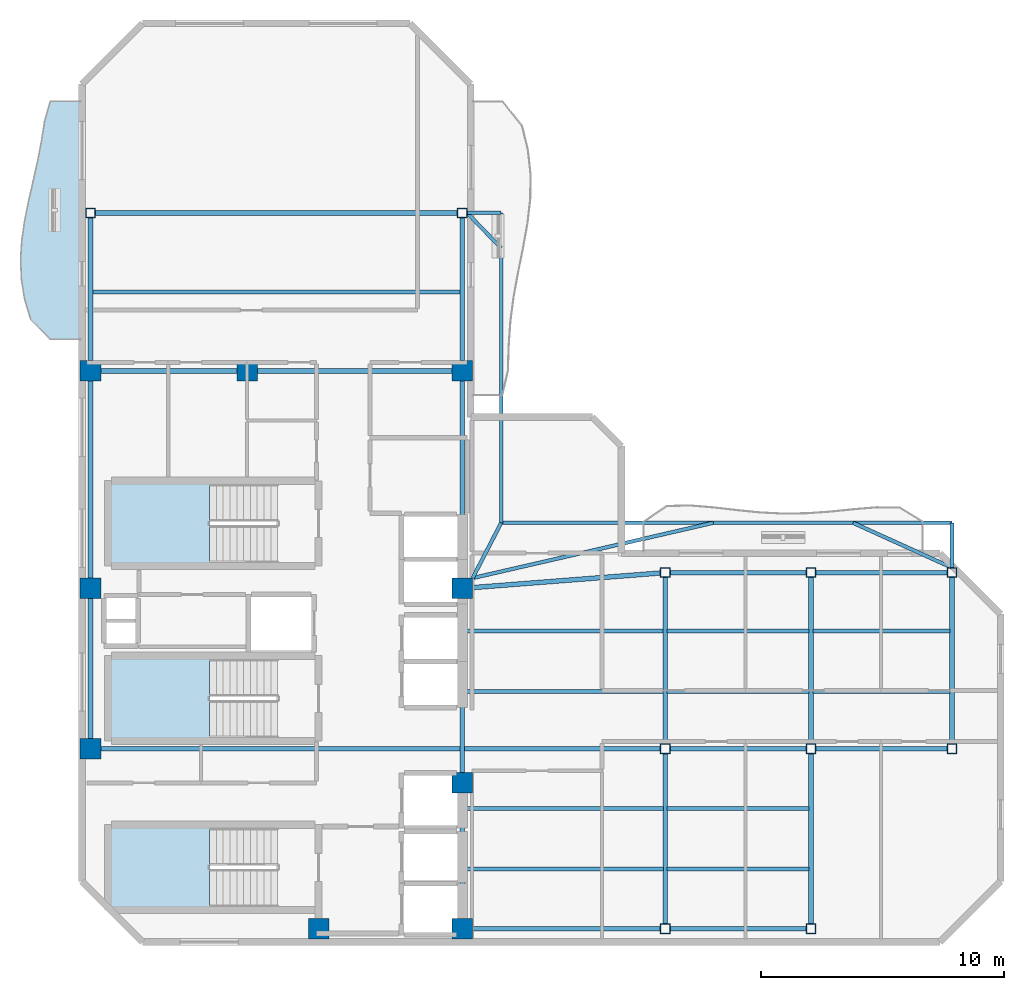
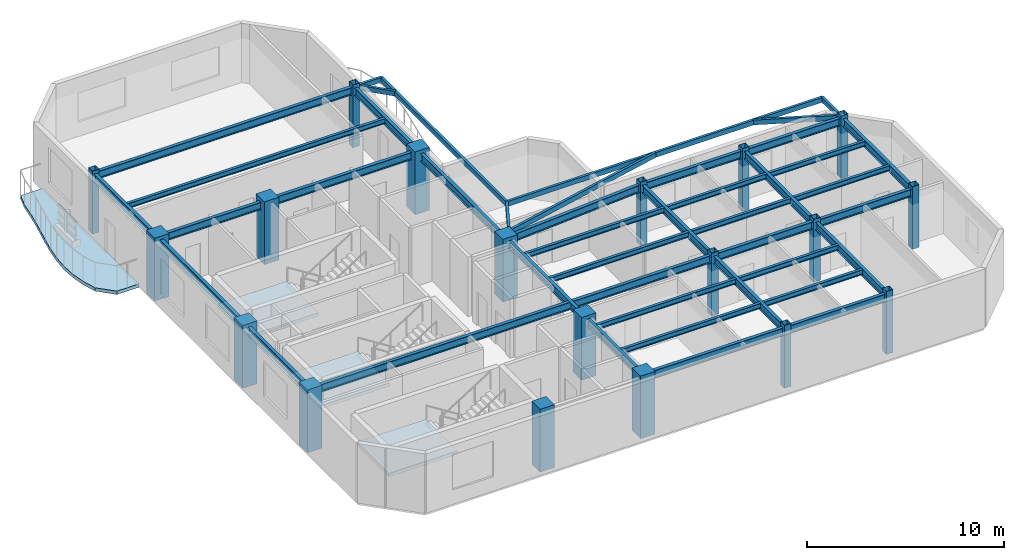
# One storey, part 1 of 7: 42 beams, 19 columns, 4 slabs, 3 elements without a shape of their own.
"""IFC4 building model written with IfcOpenShell, lengths in metres."""

from ifc_helpers import new_model, si_unit, direction, frame, origin, origin_2d, place, context, subcontext, project, spatial, polyline, rectangle, hollow_rectangle, i_section, outline, extrude, material, layer, layer_set, material_profile, profile_set, type_object, element, aggregate, save


model = new_model("IFC4")

# Units and contexts
model_context = context("Model", 3, precision=1e-05, world=origin(), true_north=direction((0.0, 1.0)))
body_context = subcontext(model_context, "Body", "Model", "MODEL_VIEW")
ifc_project = project(units=[si_unit("LENGTHUNIT", "METRE"), si_unit("AREAUNIT", "SQUARE_METRE"), si_unit("VOLUMEUNIT", "CUBIC_METRE"), si_unit("PLANEANGLEUNIT", "RADIAN"), si_unit("MASSUNIT", "GRAM", prefix="KILO")], contexts=[model_context])

# Site, building, storey
site_placement = place(None, origin())
site = spatial("IfcSite", under=ifc_project, at=site_placement, CompositionType="ELEMENT")
building_placement = place(site_placement, origin())
building = spatial("IfcBuilding", under=site, at=building_placement, Name="Mawjaban Terraces University", CompositionType="ELEMENT")
storey_placement = place(building_placement, frame((0.0, 0.0, 287.199951171875)))
storey = spatial("IfcBuildingStorey", under=building, at=storey_placement, Name="L70", CompositionType="ELEMENT", Elevation=287.199951171875)

# Columns
ifc_material_1 = material(Name="Concrete C50/60", Category="concrete")
ifc_material_profile_1 = material_profile(ifc_material_1, rectangle(XDim=0.85009765625, YDim=0.85009765625, at=origin_2d()), Name="RC850X850")
ifc_profile_set_1 = profile_set([ifc_material_profile_1], Name="Concrete C50/60")
column_type_1 = type_object("IfcColumnType", Name="Col_RC850X850", PredefinedType="COLUMN", material=ifc_profile_set_1)
for number, where, z_axis, x_axis, name in (
    (1, (31.75, 0.550048828125, 0.0), (0.0, 0.0, 1.0), (1.0, 0.0, 0.0), "L70 Column CC2"),
    (2, (37.64990234375, 0.550048828125, 0.0), (0.0, 0.0, 1.0), (1.0, 0.0, 0.0), "L70 Column CC3"),
    (3, (22.35009765625, 7.949951171875, 0.0), (0.0, 0.0, 1.0), (1.0, 0.0, 0.0), "L70 Column CC4"),
    (4, (37.64990234375, 6.550048828125, 0.0), (0.0, 0.0, 1.0), (1.0, 0.0, 0.0), "L70 Column CC5"),
    (5, (22.35009765625, 14.550048828125, 0.0), (0.0, 0.0, 1.0), (1.0, 0.0, 0.0), "L70 Column CC6"),
    (6, (37.64990234375, 14.550048828125, 0.0), (0.0, 0.0, 1.0), (1.0, 0.0, 0.0), "L70 Column CC7"),
    (7, (22.35009765625, 23.5, 0.0), (0.0, 0.0, 1.0), (1.0, 0.0, 0.0), "L70 Column CC8"),
    (8, (28.800048828125, 23.5, 0.0), (0.0, 0.0, 1.0), (1.0, 0.0, 0.0), "L70 Column CC9"),
    (9, (37.64990234375, 23.5, 0.0), (0.0, 0.0, 1.0), (1.0, 0.0, 0.0), "L70 Column CC10"),
):
    element("IfcColumn", number, at=place(storey_placement, frame(where, z_axis=z_axis, x_axis=x_axis)), inside=storey, type_object=column_type_1, Name=name, PredefinedType="COLUMN", context=body_context, shape_type="SweptSolid", body=[
        extrude(rectangle(XDim=0.85009765625, YDim=0.85009765625, at=origin_2d()), origin(), (0.0, 0.0, 1.0), 3.900146484375),
    ])
ifc_material_2 = material(Name="Steel EN 10210-1 S355J2H", Category="steel")
ifc_material_profile_2 = material_profile(ifc_material_2, hollow_rectangle(XDim=0.39990234375, YDim=0.39990234375, WallThickness=0.02001953125, at=origin_2d()), Name="SHS400X400X20")
ifc_profile_set_2 = profile_set([ifc_material_profile_2], Name="Steel EN 10210-1 S355J2H")
column_type_2 = type_object("IfcColumnType", Name="Col_SHS400X400X20", PredefinedType="COLUMN", material=ifc_profile_set_2)
for number, where, z_axis, x_axis, name in (
    (10, (46.0, 0.550048828125, 0.0), (0.0, 0.0, 1.0), (1.0, 0.0, 0.0), "L70 Column TE-460-005"),
    (11, (46.0, 7.949951171875, 0.0), (0.0, 0.0, 1.0), (1.0, 0.0, 0.0), "L70 Column TE-460-080"),
    (12, (46.0, 15.199951171875, 0.0), (0.0, 0.0, 1.0), (1.0, 0.0, 0.0), "L70 Column TE-460-152"),
    (13, (52.0, 0.550048828125, 0.0), (0.0, 0.0, 1.0), (1.0, 0.0, 0.0), "L70 Column TE-520-005"),
    (14, (52.0, 7.949951171875, 0.0), (0.0, 0.0, 1.0), (1.0, 0.0, 0.0), "L70 Column TE-520-080"),
    (15, (52.0, 15.199951171875, 0.0), (0.0, 0.0, 1.0), (1.0, 0.0, 0.0), "L70 Column TE-520-152"),
    (16, (57.800048828125, 7.949951171875, 0.0), (0.0, 0.0, 1.0), (1.0, 0.0, 0.0), "L70 Column TE-578-080"),
    (17, (57.800048828125, 15.199951171875, 0.0), (0.0, 0.0, 1.0), (1.0, 0.0, 0.0), "L70 Column TE-578-152"),
    (18, (22.35009765625, 30.0, 0.0), (0.0, 0.0, 1.0), (1.0, 0.0, 0.0), "L70 Column TN-223-300"),
    (19, (37.64990234375, 30.0, 0.0), (0.0, 0.0, 1.0), (1.0, 0.0, 0.0), "L70 Column TN-376-300"),
):
    element("IfcColumn", number, at=place(storey_placement, frame(where, z_axis=z_axis, x_axis=x_axis)), inside=storey, type_object=column_type_2, Name=name, PredefinedType="COLUMN", context=body_context, shape_type="SweptSolid", body=[
        extrude(hollow_rectangle(XDim=0.39990234375, YDim=0.39990234375, WallThickness=0.02001953125, at=origin_2d()), origin(), (0.0, 0.0, 1.0), 3.900146484375),
    ])

# Beams
ifc_material_profile_3 = material_profile(ifc_material_2, hollow_rectangle(XDim=0.14990234375, YDim=0.300048828125, WallThickness=0.012451171875, at=origin_2d()), Name="RHS300X150X12.5")
ifc_profile_set_3 = profile_set([ifc_material_profile_3], Name="Steel EN 10210-1 S355J2H")
beam_type_1 = type_object("IfcBeamType", Name="BalconyCantileverSpandrel_RHS", PredefinedType="SPANDREL", material=ifc_profile_set_3)
beam_1_placement = place(storey_placement, frame((38.074951171875, 14.97509765625, 3.5400390625), z_axis=(0.458922210771, 0.88847645127, 0.0), x_axis=(-0.88847645127, 0.458922210771, 0.0)))
element("IfcBeam", 20, at=beam_1_placement, inside=storey, type_object=beam_type_1, Name="L70 Corner Outrigger BAL-L71-N", PredefinedType="SPANDREL", context=body_context, shape_type="SweptSolid", body=[
    extrude(hollow_rectangle(XDim=0.14990234375, YDim=0.300048828125, WallThickness=0.012451171875, at=origin_2d()), origin(), (0.0, 0.0, 1.0), 2.560546875),
])
beam_2_placement = place(storey_placement, frame((57.800048828125, 15.39990234375, 3.5400390625), z_axis=(0.0, 1.0, 0.0), x_axis=(-1.0, 0.0, 0.0)))
element("IfcBeam", 21, at=beam_2_placement, inside=storey, type_object=beam_type_1, Name="L70 Exterior Outrigger BAL-L71-N.2", PredefinedType="SPANDREL", context=body_context, shape_type="SweptSolid", body=[
    extrude(hollow_rectangle(XDim=0.14990234375, YDim=0.300048828125, WallThickness=0.012451171875, at=origin_2d()), origin(), (0.0, 0.0, 1.0), 1.85009765625),
])
beam_3_placement = place(storey_placement, frame((39.25, 17.25, 3.5400390625), z_axis=(1.0, 0.0, 0.0), x_axis=(0.0, 1.0, 0.0)))
element("IfcBeam", 22, at=beam_3_placement, inside=storey, type_object=beam_type_1, Name="L70 Exterior Edge Spandrel BAL-L71-N", PredefinedType="SPANDREL", context=body_context, shape_type="SweptSolid", body=[
    extrude(hollow_rectangle(XDim=0.14990234375, YDim=0.300048828125, WallThickness=0.012451171875, at=origin_2d()), origin(), (0.0, 0.0, 1.0), 18.550048828125),
])
beam_4_placement = place(storey_placement, frame((38.074951171875, 14.97509765625, 3.5400390625), z_axis=(0.974600999447, 0.223948413426, 0.0), x_axis=(-0.223948413426, 0.974600999447, 0.0)))
element("IfcBeam", 23, at=beam_4_placement, inside=storey, type_object=beam_type_1, Name="L70 Exterior Diagonal Strut BAL-L71-N.1", PredefinedType="SPANDREL", context=body_context, shape_type="SweptSolid", body=[
    extrude(hollow_rectangle(XDim=0.14990234375, YDim=0.300048828125, WallThickness=0.012451171875, at=origin_2d()), origin(), (0.0, 0.0, 1.0), 10.158203125),
])
beam_5_placement = place(storey_placement, frame((57.800048828125, 15.39990234375, 3.5400390625), z_axis=(-0.910547611438, 0.413404217811, 0.0), x_axis=(-0.413404217811, -0.910547611438, 0.0)))
element("IfcBeam", 24, at=beam_5_placement, inside=storey, type_object=beam_type_1, Name="L70 Exterior Diagonal Strut BAL-L71-N.2", PredefinedType="SPANDREL", context=body_context, shape_type="SweptSolid", body=[
    extrude(hollow_rectangle(XDim=0.14990234375, YDim=0.300048828125, WallThickness=0.012451171875, at=origin_2d()), origin(), (0.0, 0.0, 1.0), 4.475341796875),
])
beam_6_placement = place(storey_placement, frame((37.85009765625, 30.0, 3.5400390625), z_axis=(1.0, 0.0, 0.0), x_axis=(0.0, 1.0, 0.0)))
element("IfcBeam", 25, at=beam_6_placement, inside=storey, type_object=beam_type_1, Name="L70 Exterior Outrigger BAL-L71-E.2", PredefinedType="SPANDREL", context=body_context, shape_type="SweptSolid", body=[
    extrude(hollow_rectangle(XDim=0.14990234375, YDim=0.300048828125, WallThickness=0.012451171875, at=origin_2d()), origin(), (0.0, 0.0, 1.0), 1.39990234375),
])
beam_7_placement = place(storey_placement, frame((39.25, 17.25, 3.5400390625), z_axis=(0.0, 1.0, 0.0), x_axis=(-1.0, 0.0, 0.0)))
element("IfcBeam", 26, at=beam_7_placement, inside=storey, type_object=beam_type_1, Name="L70 Exterior Edge Spandrel BAL-L71-E", PredefinedType="SPANDREL", context=body_context, shape_type="SweptSolid", body=[
    extrude(hollow_rectangle(XDim=0.14990234375, YDim=0.300048828125, WallThickness=0.012451171875, at=origin_2d()), origin(), (0.0, 0.0, 1.0), 12.75),
])
beam_8_placement = place(storey_placement, frame((37.85009765625, 30.0, 3.5400390625), z_axis=(0.694581542946, -0.719413983878, 0.0), x_axis=(0.719413983878, 0.694581542946, 0.0)))
element("IfcBeam", 27, at=beam_8_placement, inside=storey, type_object=beam_type_1, Name="L70 Exterior Diagonal Strut BAL-L71-E.1", PredefinedType="SPANDREL", context=body_context, shape_type="SweptSolid", body=[
    extrude(hollow_rectangle(XDim=0.14990234375, YDim=0.300048828125, WallThickness=0.012451171875, at=origin_2d()), origin(), (0.0, 0.0, 1.0), 2.015380859375),
])
ifc_material_3 = material(Name="Steel ASTM A572 Grade 50", Category="steel")
ifc_material_profile_4 = material_profile(ifc_material_3, i_section(OverallWidth=0.194091796875, OverallDepth=0.468994140625, WebThickness=0.011474609375, FlangeThickness=0.0205078125, at=origin_2d()), Name="W460X106")
ifc_profile_set_4 = profile_set([ifc_material_profile_4], Name="Steel ASTM A572 Grade 50")
beam_type_2 = type_object("IfcBeamType", Name="Beam_B_W460X106", PredefinedType="BEAM", material=ifc_profile_set_4)
beam_9_placement = place(storey_placement, frame((38.074951171875, 0.550048828125, 3.455078125), z_axis=(1.0, 0.0, 0.0), x_axis=(0.0, 1.0, 0.0)))
element("IfcBeam", 28, at=beam_9_placement, inside=storey, type_object=beam_type_2, Name="L70 Beam BM-L70-EW-01", PredefinedType="BEAM", context=body_context, shape_type="SweptSolid", body=[
    extrude(i_section(OverallWidth=0.194091796875, OverallDepth=0.468994140625, WebThickness=0.011474609375, FlangeThickness=0.0205078125, at=origin_2d()), origin(), (0.0, 0.0, 1.0), 7.72509765625),
])
beam_10_placement = place(storey_placement, frame((46.199951171875, 0.550048828125, 3.455078125), z_axis=(1.0, 0.0, 0.0), x_axis=(0.0, 1.0, 0.0)))
element("IfcBeam", 29, at=beam_10_placement, inside=storey, type_object=beam_type_2, Name="L70 Beam BM-L70-EW-02", PredefinedType="BEAM", context=body_context, shape_type="SweptSolid", body=[
    extrude(i_section(OverallWidth=0.194091796875, OverallDepth=0.468994140625, WebThickness=0.011474609375, FlangeThickness=0.0205078125, at=origin_2d()), origin(), (0.0, 0.0, 1.0), 5.60009765625),
])
beam_11_placement = place(storey_placement, frame((22.77490234375, 7.949951171875, 3.455078125), z_axis=(1.0, 0.0, 0.0), x_axis=(0.0, 1.0, 0.0)))
element("IfcBeam", 30, at=beam_11_placement, inside=storey, type_object=beam_type_2, Name="L70 Beam BM-L70-EW-03", PredefinedType="BEAM", context=body_context, shape_type="SweptSolid", body=[
    extrude(i_section(OverallWidth=0.194091796875, OverallDepth=0.468994140625, WebThickness=0.011474609375, FlangeThickness=0.0205078125, at=origin_2d()), origin(), (0.0, 0.0, 1.0), 23.025146484375),
])
beam_12_placement = place(storey_placement, frame((46.199951171875, 7.949951171875, 3.455078125), z_axis=(1.0, 0.0, 0.0), x_axis=(0.0, 1.0, 0.0)))
element("IfcBeam", 31, at=beam_12_placement, inside=storey, type_object=beam_type_2, Name="L70 Beam BM-L70-EW-04", PredefinedType="BEAM", context=body_context, shape_type="SweptSolid", body=[
    extrude(i_section(OverallWidth=0.194091796875, OverallDepth=0.468994140625, WebThickness=0.011474609375, FlangeThickness=0.0205078125, at=origin_2d()), origin(), (0.0, 0.0, 1.0), 5.60009765625),
])
beam_13_placement = place(storey_placement, frame((52.199951171875, 7.949951171875, 3.455078125), z_axis=(1.0, 0.0, 0.0), x_axis=(0.0, 1.0, 0.0)))
element("IfcBeam", 32, at=beam_13_placement, inside=storey, type_object=beam_type_2, Name="L70 Beam BM-L70-EW-05", PredefinedType="BEAM", context=body_context, shape_type="SweptSolid", body=[
    extrude(i_section(OverallWidth=0.194091796875, OverallDepth=0.468994140625, WebThickness=0.011474609375, FlangeThickness=0.0205078125, at=origin_2d()), origin(), (0.0, 0.0, 1.0), 5.400146484375),
])
beam_14_placement = place(storey_placement, frame((46.199951171875, 15.199951171875, 3.455078125), z_axis=(1.0, 0.0, 0.0), x_axis=(0.0, 1.0, 0.0)))
element("IfcBeam", 33, at=beam_14_placement, inside=storey, type_object=beam_type_2, Name="L70 Beam BM-L70-EW-06", PredefinedType="BEAM", context=body_context, shape_type="SweptSolid", body=[
    extrude(i_section(OverallWidth=0.194091796875, OverallDepth=0.468994140625, WebThickness=0.011474609375, FlangeThickness=0.0205078125, at=origin_2d()), origin(), (0.0, 0.0, 1.0), 5.60009765625),
])
beam_15_placement = place(storey_placement, frame((52.199951171875, 15.199951171875, 3.455078125), z_axis=(1.0, 0.0, 0.0), x_axis=(0.0, 1.0, 0.0)))
element("IfcBeam", 34, at=beam_15_placement, inside=storey, type_object=beam_type_2, Name="L70 Beam BM-L70-EW-07", PredefinedType="BEAM", context=body_context, shape_type="SweptSolid", body=[
    extrude(i_section(OverallWidth=0.194091796875, OverallDepth=0.468994140625, WebThickness=0.011474609375, FlangeThickness=0.0205078125, at=origin_2d()), origin(), (0.0, 0.0, 1.0), 5.400146484375),
])
beam_16_placement = place(storey_placement, frame((22.77490234375, 23.5, 3.455078125), z_axis=(1.0, 0.0, 0.0), x_axis=(0.0, 1.0, 0.0)))
element("IfcBeam", 35, at=beam_16_placement, inside=storey, type_object=beam_type_2, Name="L70 Beam BM-L70-EW-08", PredefinedType="BEAM", context=body_context, shape_type="SweptSolid", body=[
    extrude(i_section(OverallWidth=0.194091796875, OverallDepth=0.468994140625, WebThickness=0.011474609375, FlangeThickness=0.0205078125, at=origin_2d()), origin(), (0.0, 0.0, 1.0), 5.60009765625),
])
beam_17_placement = place(storey_placement, frame((29.22509765625, 23.5, 3.455078125), z_axis=(1.0, 0.0, 0.0), x_axis=(0.0, 1.0, 0.0)))
element("IfcBeam", 36, at=beam_17_placement, inside=storey, type_object=beam_type_2, Name="L70 Beam BM-L70-EW-09", PredefinedType="BEAM", context=body_context, shape_type="SweptSolid", body=[
    extrude(i_section(OverallWidth=0.194091796875, OverallDepth=0.468994140625, WebThickness=0.011474609375, FlangeThickness=0.0205078125, at=origin_2d()), origin(), (0.0, 0.0, 1.0), 8.0),
])
beam_18_placement = place(storey_placement, frame((22.550048828125, 30.0, 3.455078125), z_axis=(1.0, 0.0, 0.0), x_axis=(0.0, 1.0, 0.0)))
element("IfcBeam", 37, at=beam_18_placement, inside=storey, type_object=beam_type_2, Name="L70 Beam BM-L70-EW-10", PredefinedType="BEAM", context=body_context, shape_type="SweptSolid", body=[
    extrude(i_section(OverallWidth=0.194091796875, OverallDepth=0.468994140625, WebThickness=0.011474609375, FlangeThickness=0.0205078125, at=origin_2d()), origin(), (0.0, 0.0, 1.0), 14.89990234375),
])
beam_19_placement = place(storey_placement, frame((22.35009765625, 8.375, 3.455078125), z_axis=(0.0, 1.0, 0.0), x_axis=(-1.0, 0.0, 0.0)))
element("IfcBeam", 38, at=beam_19_placement, inside=storey, type_object=beam_type_2, Name="L70 Beam BM-L70-NS-01", PredefinedType="BEAM", context=body_context, shape_type="SweptSolid", body=[
    extrude(i_section(OverallWidth=0.194091796875, OverallDepth=0.468994140625, WebThickness=0.011474609375, FlangeThickness=0.0205078125, at=origin_2d()), origin(), (0.0, 0.0, 1.0), 5.75),
])
beam_20_placement = place(storey_placement, frame((22.35009765625, 14.97509765625, 3.455078125), z_axis=(0.0, 1.0, 0.0), x_axis=(-1.0, 0.0, 0.0)))
element("IfcBeam", 39, at=beam_20_placement, inside=storey, type_object=beam_type_2, Name="L70 Beam BM-L70-NS-02", PredefinedType="BEAM", context=body_context, shape_type="SweptSolid", body=[
    extrude(i_section(OverallWidth=0.194091796875, OverallDepth=0.468994140625, WebThickness=0.011474609375, FlangeThickness=0.0205078125, at=origin_2d()), origin(), (0.0, 0.0, 1.0), 8.099853515625),
])
beam_21_placement = place(storey_placement, frame((22.35009765625, 23.925048828125, 3.455078125), z_axis=(0.0, 1.0, 0.0), x_axis=(-1.0, 0.0, 0.0)))
element("IfcBeam", 40, at=beam_21_placement, inside=storey, type_object=beam_type_2, Name="L70 Beam BM-L70-NS-03", PredefinedType="BEAM", context=body_context, shape_type="SweptSolid", body=[
    extrude(i_section(OverallWidth=0.194091796875, OverallDepth=0.468994140625, WebThickness=0.011474609375, FlangeThickness=0.0205078125, at=origin_2d()), origin(), (0.0, 0.0, 1.0), 5.875),
])
beam_22_placement = place(storey_placement, frame((37.64990234375, 0.97509765625, 3.455078125), z_axis=(0.0, 1.0, 0.0), x_axis=(-1.0, 0.0, 0.0)))
element("IfcBeam", 41, at=beam_22_placement, inside=storey, type_object=beam_type_2, Name="L70 Beam BM-L70-NS-04", PredefinedType="BEAM", context=body_context, shape_type="SweptSolid", body=[
    extrude(i_section(OverallWidth=0.194091796875, OverallDepth=0.468994140625, WebThickness=0.011474609375, FlangeThickness=0.0205078125, at=origin_2d()), origin(), (0.0, 0.0, 1.0), 5.14990234375),
])
beam_23_placement = place(storey_placement, frame((37.64990234375, 6.97509765625, 3.455078125), z_axis=(0.0, 1.0, 0.0), x_axis=(-1.0, 0.0, 0.0)))
element("IfcBeam", 42, at=beam_23_placement, inside=storey, type_object=beam_type_2, Name="L70 Beam BM-L70-NS-05", PredefinedType="BEAM", context=body_context, shape_type="SweptSolid", body=[
    extrude(i_section(OverallWidth=0.194091796875, OverallDepth=0.468994140625, WebThickness=0.011474609375, FlangeThickness=0.0205078125, at=origin_2d()), origin(), (0.0, 0.0, 1.0), 7.14990234375),
])
beam_24_placement = place(storey_placement, frame((37.64990234375, 14.97509765625, 3.455078125), z_axis=(0.0, 1.0, 0.0), x_axis=(-1.0, 0.0, 0.0)))
element("IfcBeam", 43, at=beam_24_placement, inside=storey, type_object=beam_type_2, Name="L70 Beam BM-L70-NS-06", PredefinedType="BEAM", context=body_context, shape_type="SweptSolid", body=[
    extrude(i_section(OverallWidth=0.194091796875, OverallDepth=0.468994140625, WebThickness=0.011474609375, FlangeThickness=0.0205078125, at=origin_2d()), origin(), (0.0, 0.0, 1.0), 8.099853515625),
])
beam_25_placement = place(storey_placement, frame((37.64990234375, 23.925048828125, 3.455078125), z_axis=(0.0, 1.0, 0.0), x_axis=(-1.0, 0.0, 0.0)))
element("IfcBeam", 44, at=beam_25_placement, inside=storey, type_object=beam_type_2, Name="L70 Beam BM-L70-NS-07", PredefinedType="BEAM", context=body_context, shape_type="SweptSolid", body=[
    extrude(i_section(OverallWidth=0.194091796875, OverallDepth=0.468994140625, WebThickness=0.011474609375, FlangeThickness=0.0205078125, at=origin_2d()), origin(), (0.0, 0.0, 1.0), 5.875),
])
beam_26_placement = place(storey_placement, frame((46.0, 0.75, 3.455078125), z_axis=(0.0, 1.0, 0.0), x_axis=(-1.0, 0.0, 0.0)))
element("IfcBeam", 45, at=beam_26_placement, inside=storey, type_object=beam_type_2, Name="L70 Beam BM-L70-NS-08", PredefinedType="BEAM", context=body_context, shape_type="SweptSolid", body=[
    extrude(i_section(OverallWidth=0.194091796875, OverallDepth=0.468994140625, WebThickness=0.011474609375, FlangeThickness=0.0205078125, at=origin_2d()), origin(), (0.0, 0.0, 1.0), 7.0),
])
beam_27_placement = place(storey_placement, frame((46.0, 8.14990234375, 3.455078125), z_axis=(0.0, 1.0, 0.0), x_axis=(-1.0, 0.0, 0.0)))
element("IfcBeam", 46, at=beam_27_placement, inside=storey, type_object=beam_type_2, Name="L70 Beam BM-L70-NS-09", PredefinedType="BEAM", context=body_context, shape_type="SweptSolid", body=[
    extrude(i_section(OverallWidth=0.194091796875, OverallDepth=0.468994140625, WebThickness=0.011474609375, FlangeThickness=0.0205078125, at=origin_2d()), origin(), (0.0, 0.0, 1.0), 6.85009765625),
])
beam_28_placement = place(storey_placement, frame((52.0, 0.75, 3.455078125), z_axis=(0.0, 1.0, 0.0), x_axis=(-1.0, 0.0, 0.0)))
element("IfcBeam", 47, at=beam_28_placement, inside=storey, type_object=beam_type_2, Name="L70 Beam BM-L70-NS-10", PredefinedType="BEAM", context=body_context, shape_type="SweptSolid", body=[
    extrude(i_section(OverallWidth=0.194091796875, OverallDepth=0.468994140625, WebThickness=0.011474609375, FlangeThickness=0.0205078125, at=origin_2d()), origin(), (0.0, 0.0, 1.0), 7.0),
])
for number, where, z_axis, x_axis, name in (
    (48, (52.0, 8.14990234375, 3.455078125), (0.0, 1.0, 0.0), (-1.0, 0.0, 0.0), "L70 Beam BM-L70-NS-11"),
    (49, (57.800048828125, 8.14990234375, 3.455078125), (0.0, 1.0, 0.0), (-1.0, 0.0, 0.0), "L70 Beam BM-L70-NS-12"),
):
    element("IfcBeam", number, at=place(storey_placement, frame(where, z_axis=z_axis, x_axis=x_axis)), inside=storey, type_object=beam_type_2, Name=name, PredefinedType="BEAM", context=body_context, shape_type="SweptSolid", body=[
        extrude(i_section(OverallWidth=0.194091796875, OverallDepth=0.468994140625, WebThickness=0.011474609375, FlangeThickness=0.0205078125, at=origin_2d()), origin(), (0.0, 0.0, 1.0), 6.85009765625),
    ])
beam_29_placement = place(storey_placement, frame((38.073974609375, 14.5830078125, 3.455078125), z_axis=(0.996988151141, 0.077554023005, 0.0), x_axis=(-0.077554023005, 0.996988151141, 0.0)))
element("IfcBeam", 50, at=beam_29_placement, inside=storey, type_object=beam_type_2, Name="L70 Beam BM-L70-CTIE", PredefinedType="BEAM", context=body_context, shape_type="SweptSolid", body=[
    extrude(i_section(OverallWidth=0.194091796875, OverallDepth=0.468994140625, WebThickness=0.011474609375, FlangeThickness=0.0205078125, at=origin_2d()), origin(), (0.0, 0.0, 1.0), 7.75048828125),
])
ifc_material_profile_5 = material_profile(ifc_material_3, i_section(OverallWidth=0.1669921875, OverallDepth=0.318115234375, WebThickness=0.007568359375, FlangeThickness=0.01318359375, at=origin_2d()), Name="W310X52")
ifc_profile_set_5 = profile_set([ifc_material_profile_5], Name="Steel ASTM A572 Grade 50")
beam_type_3 = type_object("IfcBeamType", Name="Beam_J_W310X52", PredefinedType="JOIST", material=ifc_profile_set_5)
beam_30_placement = place(storey_placement, frame((37.72998046875, 3.0, 3.531005859375), z_axis=(1.0, 0.0, 0.0), x_axis=(0.0, 1.0, 0.0)))
element("IfcBeam", 51, at=beam_30_placement, inside=storey, type_object=beam_type_3, Name="L70 Composite Joist JST-L70-01", PredefinedType="JOIST", context=body_context, shape_type="SweptSolid", body=[
    extrude(i_section(OverallWidth=0.1669921875, OverallDepth=0.318115234375, WebThickness=0.007568359375, FlangeThickness=0.01318359375, at=origin_2d()), origin(), (0.0, 0.0, 1.0), 8.18994140625),
])
beam_31_placement = place(storey_placement, frame((46.080078125, 3.0, 3.531005859375), z_axis=(1.0, 0.0, 0.0), x_axis=(0.0, 1.0, 0.0)))
element("IfcBeam", 52, at=beam_31_placement, inside=storey, type_object=beam_type_3, Name="L70 Composite Joist JST-L70-02", PredefinedType="JOIST", context=body_context, shape_type="SweptSolid", body=[
    extrude(i_section(OverallWidth=0.1669921875, OverallDepth=0.318115234375, WebThickness=0.007568359375, FlangeThickness=0.01318359375, at=origin_2d()), origin(), (0.0, 0.0, 1.0), 5.83984375),
])
beam_32_placement = place(storey_placement, frame((37.72998046875, 5.5, 3.531005859375), z_axis=(1.0, 0.0, 0.0), x_axis=(0.0, 1.0, 0.0)))
element("IfcBeam", 53, at=beam_32_placement, inside=storey, type_object=beam_type_3, Name="L70 Composite Joist JST-L70-03", PredefinedType="JOIST", context=body_context, shape_type="SweptSolid", body=[
    extrude(i_section(OverallWidth=0.1669921875, OverallDepth=0.318115234375, WebThickness=0.007568359375, FlangeThickness=0.01318359375, at=origin_2d()), origin(), (0.0, 0.0, 1.0), 8.18994140625),
])
beam_33_placement = place(storey_placement, frame((46.080078125, 5.5, 3.531005859375), z_axis=(1.0, 0.0, 0.0), x_axis=(0.0, 1.0, 0.0)))
element("IfcBeam", 54, at=beam_33_placement, inside=storey, type_object=beam_type_3, Name="L70 Composite Joist JST-L70-04", PredefinedType="JOIST", context=body_context, shape_type="SweptSolid", body=[
    extrude(i_section(OverallWidth=0.1669921875, OverallDepth=0.318115234375, WebThickness=0.007568359375, FlangeThickness=0.01318359375, at=origin_2d()), origin(), (0.0, 0.0, 1.0), 5.83984375),
])
beam_34_placement = place(storey_placement, frame((37.72998046875, 10.300048828125, 3.531005859375), z_axis=(1.0, 0.0, 0.0), x_axis=(0.0, 1.0, 0.0)))
element("IfcBeam", 55, at=beam_34_placement, inside=storey, type_object=beam_type_3, Name="L70 Composite Joist JST-L70-05", PredefinedType="JOIST", context=body_context, shape_type="SweptSolid", body=[
    extrude(i_section(OverallWidth=0.1669921875, OverallDepth=0.318115234375, WebThickness=0.007568359375, FlangeThickness=0.01318359375, at=origin_2d()), origin(), (0.0, 0.0, 1.0), 8.18994140625),
])
beam_35_placement = place(storey_placement, frame((46.080078125, 10.300048828125, 3.531005859375), z_axis=(1.0, 0.0, 0.0), x_axis=(0.0, 1.0, 0.0)))
element("IfcBeam", 56, at=beam_35_placement, inside=storey, type_object=beam_type_3, Name="L70 Composite Joist JST-L70-06", PredefinedType="JOIST", context=body_context, shape_type="SweptSolid", body=[
    extrude(i_section(OverallWidth=0.1669921875, OverallDepth=0.318115234375, WebThickness=0.007568359375, FlangeThickness=0.01318359375, at=origin_2d()), origin(), (0.0, 0.0, 1.0), 5.83984375),
])
beam_36_placement = place(storey_placement, frame((52.080078125, 10.300048828125, 3.531005859375), z_axis=(1.0, 0.0, 0.0), x_axis=(0.0, 1.0, 0.0)))
element("IfcBeam", 57, at=beam_36_placement, inside=storey, type_object=beam_type_3, Name="L70 Composite Joist JST-L70-07", PredefinedType="JOIST", context=body_context, shape_type="SweptSolid", body=[
    extrude(i_section(OverallWidth=0.1669921875, OverallDepth=0.318115234375, WebThickness=0.007568359375, FlangeThickness=0.01318359375, at=origin_2d()), origin(), (0.0, 0.0, 1.0), 5.639892578125),
])
beam_37_placement = place(storey_placement, frame((37.72998046875, 12.800048828125, 3.531005859375), z_axis=(1.0, 0.0, 0.0), x_axis=(0.0, 1.0, 0.0)))
element("IfcBeam", 58, at=beam_37_placement, inside=storey, type_object=beam_type_3, Name="L70 Composite Joist JST-L70-08", PredefinedType="JOIST", context=body_context, shape_type="SweptSolid", body=[
    extrude(i_section(OverallWidth=0.1669921875, OverallDepth=0.318115234375, WebThickness=0.007568359375, FlangeThickness=0.01318359375, at=origin_2d()), origin(), (0.0, 0.0, 1.0), 8.18994140625),
])
beam_38_placement = place(storey_placement, frame((46.080078125, 12.800048828125, 3.531005859375), z_axis=(1.0, 0.0, 0.0), x_axis=(0.0, 1.0, 0.0)))
element("IfcBeam", 59, at=beam_38_placement, inside=storey, type_object=beam_type_3, Name="L70 Composite Joist JST-L70-09", PredefinedType="JOIST", context=body_context, shape_type="SweptSolid", body=[
    extrude(i_section(OverallWidth=0.1669921875, OverallDepth=0.318115234375, WebThickness=0.007568359375, FlangeThickness=0.01318359375, at=origin_2d()), origin(), (0.0, 0.0, 1.0), 5.83984375),
])
beam_39_placement = place(storey_placement, frame((52.080078125, 12.800048828125, 3.531005859375), z_axis=(1.0, 0.0, 0.0), x_axis=(0.0, 1.0, 0.0)))
element("IfcBeam", 60, at=beam_39_placement, inside=storey, type_object=beam_type_3, Name="L70 Composite Joist JST-L70-10", PredefinedType="JOIST", context=body_context, shape_type="SweptSolid", body=[
    extrude(i_section(OverallWidth=0.1669921875, OverallDepth=0.318115234375, WebThickness=0.007568359375, FlangeThickness=0.01318359375, at=origin_2d()), origin(), (0.0, 0.0, 1.0), 5.639892578125),
])
beam_40_placement = place(storey_placement, frame((22.429931640625, 26.75, 3.531005859375), z_axis=(1.0, 0.0, 0.0), x_axis=(0.0, 1.0, 0.0)))
element("IfcBeam", 61, at=beam_40_placement, inside=storey, type_object=beam_type_3, Name="L70 Composite Joist JST-L70-11", PredefinedType="JOIST", context=body_context, shape_type="SweptSolid", body=[
    extrude(i_section(OverallWidth=0.1669921875, OverallDepth=0.318115234375, WebThickness=0.007568359375, FlangeThickness=0.01318359375, at=origin_2d()), origin(), (0.0, 0.0, 1.0), 15.14013671875),
])

# Slab
ifc_material_4 = material(Name="Concrete C40/50", Category="concrete")
ifc_layer_1 = layer(ifc_material_4, 0.2099609375)
ifc_layer_set_1 = layer_set([ifc_layer_1], Name="Concrete C40/50")
slab_type_1 = type_object("IfcSlabType", Name="BalconySlab_210_Ext", PredefinedType="FLOOR", material=ifc_layer_set_1)
slab_1_placement = place(storey_placement, frame((0.0, 0.0, -0.2099609375)))
element("IfcSlab", 62, at=slab_1_placement, inside=storey, type_object=slab_type_1, Name="L70 Planted Balcony Slab west", PredefinedType="FLOOR", context=body_context, shape_type="SweptSolid", body=[
    extrude(outline(polyline([(22.010009765625, 24.800048828125), (22.010009765625, 34.60009765625), (20.699951171875, 34.60009765625), (20.465087890625, 33.782958984375), (20.3369140625, 32.967041015625), (20.178955078125, 32.14990234375), (19.998046875, 31.3330078125), (19.81103515625, 30.51708984375), (19.64404296875, 29.699951171875), (19.52490234375, 28.883056640625), (19.47509765625, 28.06689453125), (19.510986328125, 27.25), (19.64501953125, 26.43310546875), (19.89208984375, 25.616943359375), (20.699951171875, 24.800048828125), (22.010009765625, 24.800048828125)])), origin(), (0.0, 0.0, 1.0), 0.2099609375),
])

# Stair, slab
stair_type = type_object("IfcStairType", Name="Stair_Core1550_H39", PredefinedType="HALF_TURN_STAIR", material=ifc_material_4)
stair_1_placement = place(storey_placement, origin())
stair_1 = element("IfcStair", 63, at=stair_1_placement, inside=storey, type_object=stair_type, Name="L70 Core Exit Stair 1", PredefinedType="HALF_TURN_STAIR")
ifc_layer_2 = layer(ifc_material_4, 0.199951171875)
ifc_layer_set_2 = layer_set([ifc_layer_2], Name="Concrete C40/50")
slab_type_2 = type_object("IfcSlabType", Name="StairLandingSlab_200", PredefinedType="LANDING", material=ifc_layer_set_2)
slab_2_placement = place(storey_placement, frame((0.0, 0.0, 1.75)))
slab_2 = element("IfcSlab", 64, at=slab_2_placement, type_object=slab_type_2, Name="ST-1 landing 1", PredefinedType="LANDING", context=body_context, shape_type="SweptSolid", body=[
    extrude(outline(polyline([(27.25, 4.699951171875), (23.199951171875, 4.699951171875), (23.199951171875, 1.449951171875), (27.25, 1.449951171875), (27.25, 4.699951171875)])), origin(), (0.0, 0.0, 1.0), 0.199951171875),
])
aggregate(stair_1, [slab_2])

stair_2_placement = place(storey_placement, origin())
stair_2 = element("IfcStair", 65, at=stair_2_placement, inside=storey, type_object=stair_type, Name="L70 Core Exit Stair 2", PredefinedType="HALF_TURN_STAIR")
slab_3_placement = place(storey_placement, frame((0.0, 0.0, 1.75)))
slab_3 = element("IfcSlab", 66, at=slab_3_placement, type_object=slab_type_2, Name="ST-2 landing 1", PredefinedType="LANDING", context=body_context, shape_type="SweptSolid", body=[
    extrude(outline(polyline([(27.25, 18.85009765625), (23.199951171875, 18.85009765625), (23.199951171875, 15.60009765625), (27.25, 15.60009765625), (27.25, 18.85009765625)])), origin(), (0.0, 0.0, 1.0), 0.199951171875),
])
aggregate(stair_2, [slab_3])

stair_3_placement = place(storey_placement, origin())
stair_3 = element("IfcStair", 67, at=stair_3_placement, inside=storey, type_object=stair_type, Name="L70 Core Exit Stair 3", PredefinedType="HALF_TURN_STAIR")
slab_4_placement = place(storey_placement, frame((0.0, 0.0, 1.75)))
slab_4 = element("IfcSlab", 68, at=slab_4_placement, type_object=slab_type_2, Name="ST-3 landing 1", PredefinedType="LANDING", context=body_context, shape_type="SweptSolid", body=[
    extrude(outline(polyline([(27.25, 11.64990234375), (23.199951171875, 11.64990234375), (23.199951171875, 8.39990234375), (27.25, 8.39990234375), (27.25, 11.64990234375)])), origin(), (0.0, 0.0, 1.0), 0.199951171875),
])
aggregate(stair_3, [slab_4])

save(model, "model.ifc")
